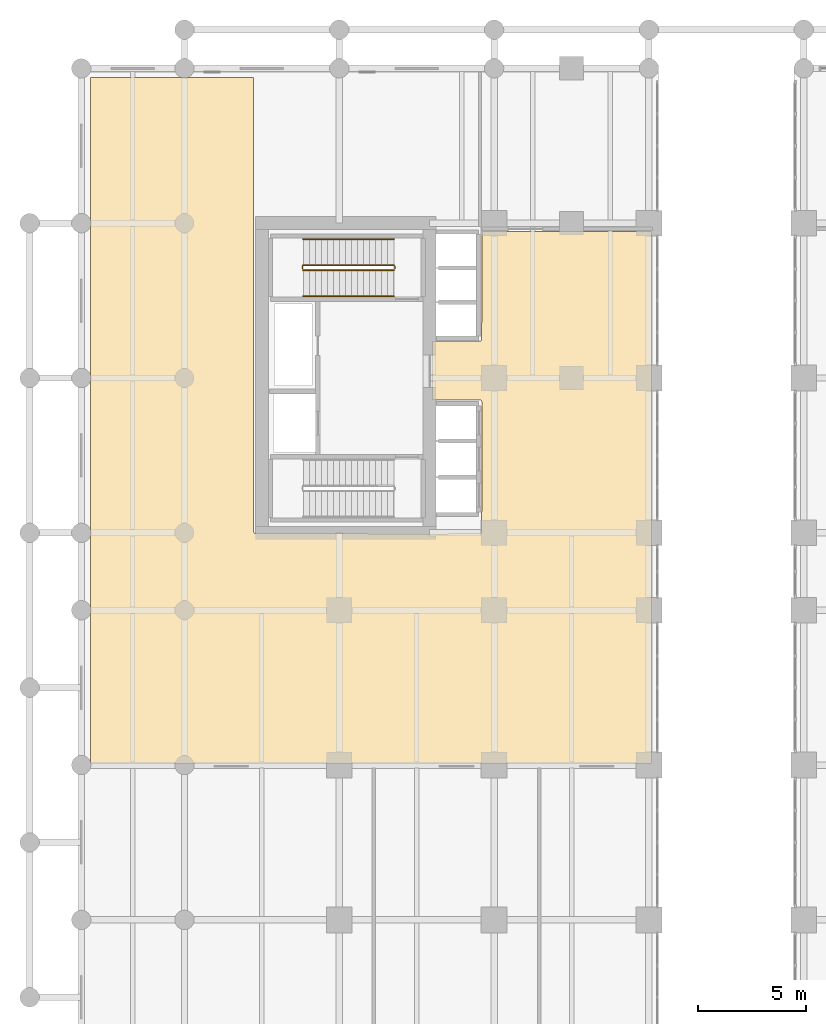
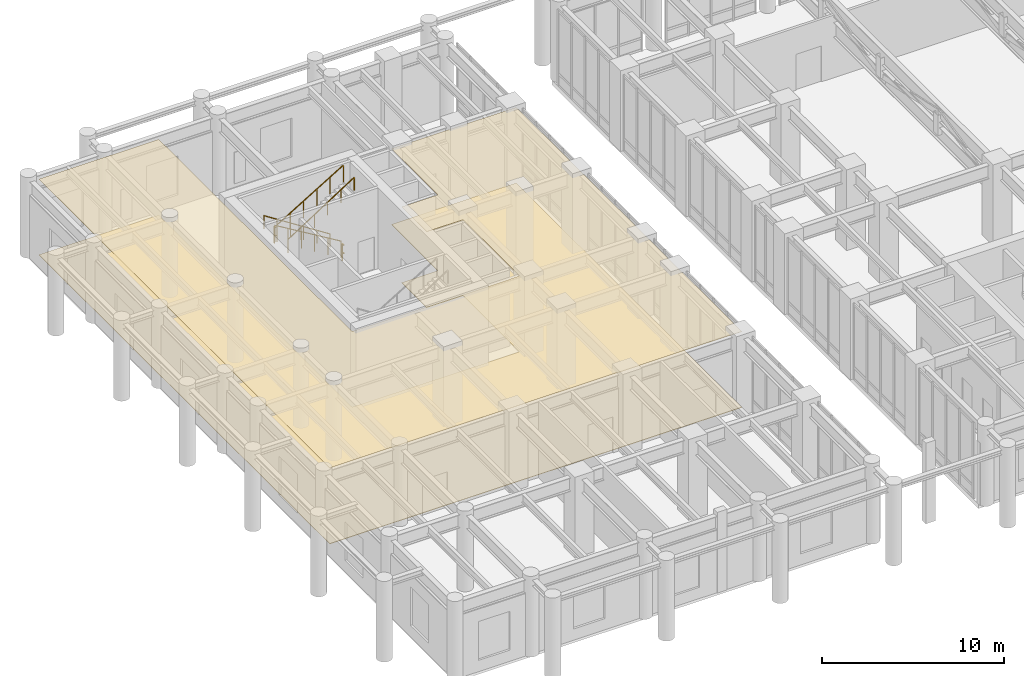
# One storey, part 23 of 24: 6 railings, 2 coverings.
"""IFC4 building model written with IfcOpenShell, lengths in metres."""

from ifc_helpers import new_model, si_unit, derived_unit, direction, frame, origin, origin_2d, place, context, subcontext, project, spatial, polyline, rectangle, outline, extrude, material, layer, layer_set, type_object, element, save


model = new_model("IFC4")

# Units and contexts
model_context = context("Model", 3, precision=1e-05, world=origin(), true_north=direction((0.0, 1.0)))
body_context = subcontext(model_context, "Body", "Model", "MODEL_VIEW")
ifc_project = project(units=[si_unit("LENGTHUNIT", "METRE"), si_unit("AREAUNIT", "SQUARE_METRE"), si_unit("VOLUMEUNIT", "CUBIC_METRE"), si_unit("PLANEANGLEUNIT", "RADIAN"), si_unit("MASSUNIT", "GRAM", prefix="KILO"), si_unit("THERMODYNAMICTEMPERATUREUNIT", "KELVIN"), si_unit("POWERUNIT", "WATT"), derived_unit("THERMALTRANSMITTANCEUNIT", [(si_unit("POWERUNIT", "WATT"), 1), (si_unit("AREAUNIT", "SQUARE_METRE"), -1), (si_unit("THERMODYNAMICTEMPERATUREUNIT", "KELVIN"), -1)])], contexts=[model_context])

# Site, building, storey
site_placement = place(None, origin())
site = spatial("IfcSite", under=ifc_project, at=site_placement, CompositionType="ELEMENT")
building_placement = place(site_placement, origin())
building = spatial("IfcBuilding", under=site, at=building_placement, Name="Zahravan Archway Hotel and Residences", CompositionType="ELEMENT")
storey_placement = place(building_placement, frame((0.0, 0.0, 10.800048828125)))
storey = spatial("IfcBuildingStorey", under=building, at=storey_placement, Name="L02", CompositionType="ELEMENT", Elevation=10.800048828125)

# Coverings
ifc_material_1 = material(Name="Perforated Acoustic Gypsum Ceiling")
ifc_layer_1 = layer(ifc_material_1, 0.02490234375, Name="Perforated Acoustic Gypsum Ceiling")
ifc_layer_set_1 = layer_set([ifc_layer_1], Name="Perforated Acoustic Gypsum Ceiling")
covering_type_1 = type_object("IfcCoveringType", Name="COV-CEIL-ACST", PredefinedType="CEILING", material=ifc_layer_set_1)
covering_1_placement = place(storey_placement, frame((0.0, 0.0, 5.074951171875)))
element("IfcCovering", 1, at=covering_1_placement, inside=storey, type_object=covering_type_1, Name="L02 Acoustic Corridor Ceiling", PredefinedType="CEILING", context=body_context, shape_type="SweptSolid", body=[
    extrude(outline(polyline([(3.219970703125, 25.25), (3.2333984375, 25.20556640625), (3.269287109375, 25.176025390625), (3.5517578125, 25.169921875), (11.419921875, 25.14990234375), (13.75, 25.169921875), (13.79443359375, 25.18359375), (13.823974609375, 25.219482421875), (13.830078125, 31.300048828125), (13.81640625, 31.344482421875), (13.780517578125, 31.373779296875), (11.530029296875, 31.3798828125), (11.530029296875, 34.1201171875), (13.75, 34.1201171875), (13.79443359375, 34.133544921875), (13.823974609375, 34.16943359375), (13.830078125, 39.219970703125), (21.719970703125, 39.219970703125), (21.719970703125, 14.47998046875), (-4.3701171875, 14.47998046875), (-4.3701171875, 46.3701171875), (3.219970703125, 46.3701171875), (3.219970703125, 25.25)])), origin(), (0.0, 0.0, 1.0), 0.02490234375),
])
ifc_material_2 = material(Name="Honed Margalla Limestone & Mortar Bed", Category="masonry")
ifc_layer_2 = layer(ifc_material_2, 0.030029296875, Name="Honed Margalla Limestone & Mortar Bed", Category="masonry")
ifc_layer_set_2 = layer_set([ifc_layer_2], Name="Honed Margalla Limestone & Mortar Bed")
covering_type_2 = type_object("IfcCoveringType", Name="COV-FLR-STONE", PredefinedType="FLOORING", material=ifc_layer_set_2)
covering_2_placement = place(storey_placement, origin())
element("IfcCovering", 2, at=covering_2_placement, inside=storey, type_object=covering_type_2, Name="L02 Circulation Floor Finish", PredefinedType="FLOORING", context=body_context, shape_type="SweptSolid", body=[
    extrude(outline(polyline([(3.219970703125, 25.25), (3.2333984375, 25.20556640625), (3.269287109375, 25.176025390625), (3.5517578125, 25.169921875), (11.419921875, 25.14990234375), (13.75, 25.169921875), (13.79443359375, 25.18359375), (13.823974609375, 25.219482421875), (13.830078125, 31.300048828125), (13.81640625, 31.344482421875), (13.780517578125, 31.373779296875), (11.530029296875, 31.3798828125), (11.530029296875, 34.1201171875), (13.75, 34.1201171875), (13.79443359375, 34.133544921875), (13.823974609375, 34.16943359375), (13.830078125, 39.219970703125), (21.719970703125, 39.219970703125), (21.719970703125, 14.47998046875), (-4.3701171875, 14.47998046875), (-4.3701171875, 46.3701171875), (3.219970703125, 46.3701171875), (3.219970703125, 25.25)])), origin(), (0.0, 0.0, 1.0), 0.030029296875),
])

# Railings
ifc_material_3 = material(Name="Painted Tubular Steel", Category="steel")
railing_type_1 = type_object("IfcRailingType", Name="RL-STG-1150", PredefinedType="GUARDRAIL", material=ifc_material_3)
railing_1_placement = place(storey_placement, frame((9.72998046875, 37.64990234375, 0.168701171875)))
element("IfcRailing", 3, at=railing_1_placement, inside=storey, type_object=railing_type_1, Name="L02 ST-B2 stair guard 1", PredefinedType="GUARDRAIL", context=body_context, shape_type="SweptSolid", body=[
    extrude(rectangle(XDim=0.048095703125, YDim=0.048095703125, at=origin_2d()), frame((0.0, 0.0, 1.1259765625), z_axis=(-0.856476492594, 0.0, 0.516186030065), x_axis=(0.0, -1.0, 0.0)), (0.0, 0.0, 1.0), 4.90380859375),
    extrude(rectangle(XDim=0.0419921875, YDim=0.0419921875, at=origin_2d()), origin(), (0.0, 0.0, 1.0), 1.101806640625),
    extrude(rectangle(XDim=0.0419921875, YDim=0.0419921875, at=origin_2d()), frame((-0.840087890625, 0.0, 0.50634765625)), (0.0, 0.0, 1.0), 1.101806640625),
    extrude(rectangle(XDim=0.0419921875, YDim=0.0419921875, at=origin_2d()), frame((-1.679931640625, 0.0, 1.012451171875)), (0.0, 0.0, 1.0), 1.101806640625),
    extrude(rectangle(XDim=0.0419921875, YDim=0.0419921875, at=origin_2d()), frame((-2.52001953125, 0.0, 1.518798828125)), (0.0, 0.0, 1.0), 1.101806640625),
    extrude(rectangle(XDim=0.0419921875, YDim=0.0419921875, at=origin_2d()), frame((-3.35986328125, 0.0, 2.02490234375)), (0.0, 0.0, 1.0), 1.101806640625),
    extrude(rectangle(XDim=0.0419921875, YDim=0.0419921875, at=origin_2d()), frame((-4.199951171875, 0.0, 2.53125)), (0.0, 0.0, 1.0), 1.101806640625),
])
railing_2_placement = place(storey_placement, frame((5.47998046875, 37.60009765625, 2.699951171875)))
element("IfcRailing", 4, at=railing_2_placement, inside=storey, type_object=railing_type_1, Name="L02 ST-B2 stair guard 2", PredefinedType="GUARDRAIL", context=body_context, shape_type="SweptSolid", body=[
    extrude(rectangle(XDim=0.048095703125, YDim=0.048095703125, at=origin_2d()), frame((0.0, 0.0, 1.1259765625), z_axis=(0.0, -1.0, 0.0), x_axis=(1.0, 0.0, 0.0)), (0.0, 0.0, 1.0), 0.14013671875),
    extrude(rectangle(XDim=0.048095703125, YDim=0.048095703125, at=origin_2d()), frame((0.0, 0.0, 0.574951171875), z_axis=(0.0, -1.0, 0.0), x_axis=(1.0, 0.0, 0.0)), (0.0, 0.0, 1.0), 0.14013671875),
    extrude(rectangle(XDim=0.0419921875, YDim=0.0419921875, at=origin_2d()), origin(), (0.0, 0.0, 1.0), 1.101806640625),
])
railing_3_placement = place(storey_placement, frame((5.530029296875, 37.409912109375, 2.86865234375)))
element("IfcRailing", 5, at=railing_3_placement, inside=storey, type_object=railing_type_1, Name="L02 ST-B2 stair guard 3", PredefinedType="GUARDRAIL", context=body_context, shape_type="SweptSolid", body=[
    extrude(rectangle(XDim=0.048095703125, YDim=0.048095703125, at=origin_2d()), frame((0.0, 0.0, 1.1259765625), z_axis=(0.856476492594, 0.0, 0.516186030065), x_axis=(0.0, 1.0, 0.0)), (0.0, 0.0, 1.0), 4.90380859375),
    extrude(rectangle(XDim=0.0419921875, YDim=0.0419921875, at=origin_2d()), origin(), (0.0, 0.0, 1.0), 1.101806640625),
    extrude(rectangle(XDim=0.0419921875, YDim=0.0419921875, at=origin_2d()), frame((0.840087890625, 0.0, 0.50634765625)), (0.0, 0.0, 1.0), 1.101806640625),
    extrude(rectangle(XDim=0.0419921875, YDim=0.0419921875, at=origin_2d()), frame((1.679931640625, 0.0, 1.012451171875)), (0.0, 0.0, 1.0), 1.101806640625),
    extrude(rectangle(XDim=0.0419921875, YDim=0.0419921875, at=origin_2d()), frame((2.52001953125, 0.0, 1.518798828125)), (0.0, 0.0, 1.0), 1.101806640625),
    extrude(rectangle(XDim=0.0419921875, YDim=0.0419921875, at=origin_2d()), frame((3.35986328125, 0.0, 2.02490234375)), (0.0, 0.0, 1.0), 1.101806640625),
    extrude(rectangle(XDim=0.0419921875, YDim=0.0419921875, at=origin_2d()), frame((4.199951171875, 0.0, 2.53125)), (0.0, 0.0, 1.0), 1.101806640625),
])
railing_4_placement = place(storey_placement, frame((9.780029296875, 37.60009765625, 0.0)))
element("IfcRailing", 6, at=railing_4_placement, inside=storey, type_object=railing_type_1, Name="L02 ST-B2 stair guard 4", PredefinedType="GUARDRAIL", context=body_context, shape_type="SweptSolid", body=[
    extrude(rectangle(XDim=0.048095703125, YDim=0.048095703125, at=origin_2d()), frame((0.0, 0.0, 1.1259765625), z_axis=(0.0, -1.0, 0.0), x_axis=(1.0, 0.0, 0.0)), (0.0, 0.0, 1.0), 0.14013671875),
    extrude(rectangle(XDim=0.048095703125, YDim=0.048095703125, at=origin_2d()), frame((0.0, 0.0, 0.574951171875), z_axis=(0.0, -1.0, 0.0), x_axis=(1.0, 0.0, 0.0)), (0.0, 0.0, 1.0), 0.14013671875),
    extrude(rectangle(XDim=0.0419921875, YDim=0.0419921875, at=origin_2d()), origin(), (0.0, 0.0, 1.0), 1.101806640625),
])
ifc_material_4 = material(Name="Brushed Stainless Steel", Category="steel")
railing_type_2 = type_object("IfcRailingType", Name="RL-STH-900", PredefinedType="HANDRAIL", material=ifc_material_4)
railing_5_placement = place(storey_placement, frame((9.72998046875, 38.85009765625, 0.168701171875)))
element("IfcRailing", 7, at=railing_5_placement, inside=storey, type_object=railing_type_2, Name="L02 ST-B2 stair handrail 1", PredefinedType="HANDRAIL", context=body_context, shape_type="SweptSolid", body=[
    extrude(rectangle(XDim=0.048095703125, YDim=0.048095703125, at=origin_2d()), frame((0.0, 0.0, 0.8759765625), z_axis=(-0.841180064094, 0.0, 0.540755119968), x_axis=(0.0, -1.0, 0.0)), (0.0, 0.0, 1.0), 4.992919921875),
    extrude(rectangle(XDim=0.0419921875, YDim=0.0419921875, at=origin_2d()), origin(), (0.0, 0.0, 1.0), 0.851806640625),
    extrude(rectangle(XDim=0.0419921875, YDim=0.0419921875, at=origin_2d()), frame((-0.840087890625, 0.0, 0.5400390625)), (0.0, 0.0, 1.0), 0.851806640625),
    extrude(rectangle(XDim=0.0419921875, YDim=0.0419921875, at=origin_2d()), frame((-1.679931640625, 0.0, 1.080078125)), (0.0, 0.0, 1.0), 0.851806640625),
    extrude(rectangle(XDim=0.0419921875, YDim=0.0419921875, at=origin_2d()), frame((-2.52001953125, 0.0, 1.619873046875)), (0.0, 0.0, 1.0), 0.851806640625),
    extrude(rectangle(XDim=0.0419921875, YDim=0.0419921875, at=origin_2d()), frame((-3.35986328125, 0.0, 2.159912109375)), (0.0, 0.0, 1.0), 0.851806640625),
    extrude(rectangle(XDim=0.0419921875, YDim=0.0419921875, at=origin_2d()), frame((-4.199951171875, 0.0, 2.699951171875)), (0.0, 0.0, 1.0), 0.851806640625),
])
railing_6_placement = place(storey_placement, frame((5.530029296875, 36.2099609375, 2.86865234375)))
element("IfcRailing", 8, at=railing_6_placement, inside=storey, type_object=railing_type_2, Name="L02 ST-B2 stair handrail 2", PredefinedType="HANDRAIL", context=body_context, shape_type="SweptSolid", body=[
    extrude(rectangle(XDim=0.048095703125, YDim=0.048095703125, at=origin_2d()), frame((0.0, 0.0, 0.8759765625), z_axis=(0.841180064094, 0.0, 0.540755119968), x_axis=(0.0, 1.0, 0.0)), (0.0, 0.0, 1.0), 4.992919921875),
    extrude(rectangle(XDim=0.0419921875, YDim=0.0419921875, at=origin_2d()), origin(), (0.0, 0.0, 1.0), 0.851806640625),
    extrude(rectangle(XDim=0.0419921875, YDim=0.0419921875, at=origin_2d()), frame((0.840087890625, 0.0, 0.5400390625)), (0.0, 0.0, 1.0), 0.851806640625),
    extrude(rectangle(XDim=0.0419921875, YDim=0.0419921875, at=origin_2d()), frame((1.679931640625, 0.0, 1.080078125)), (0.0, 0.0, 1.0), 0.851806640625),
    extrude(rectangle(XDim=0.0419921875, YDim=0.0419921875, at=origin_2d()), frame((2.52001953125, 0.0, 1.619873046875)), (0.0, 0.0, 1.0), 0.851806640625),
    extrude(rectangle(XDim=0.0419921875, YDim=0.0419921875, at=origin_2d()), frame((3.35986328125, 0.0, 2.159912109375)), (0.0, 0.0, 1.0), 0.851806640625),
    extrude(rectangle(XDim=0.0419921875, YDim=0.0419921875, at=origin_2d()), frame((4.199951171875, 0.0, 2.699951171875)), (0.0, 0.0, 1.0), 0.851806640625),
])

save(model, "model.ifc")
